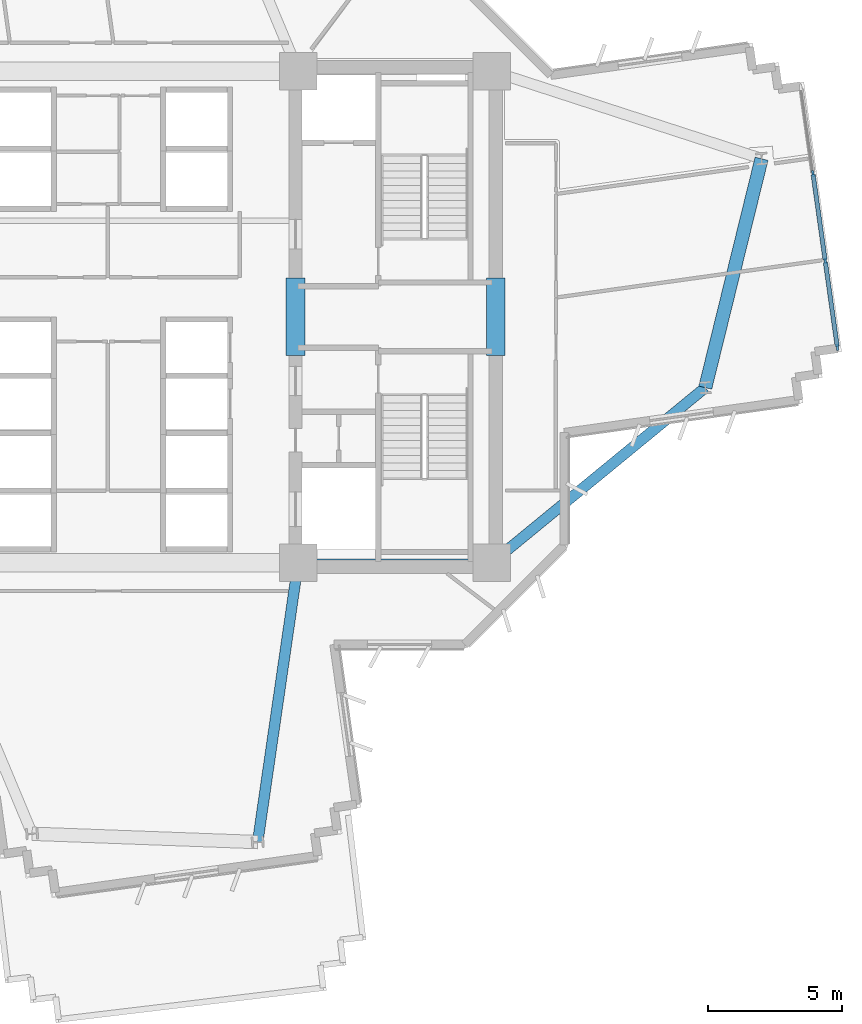
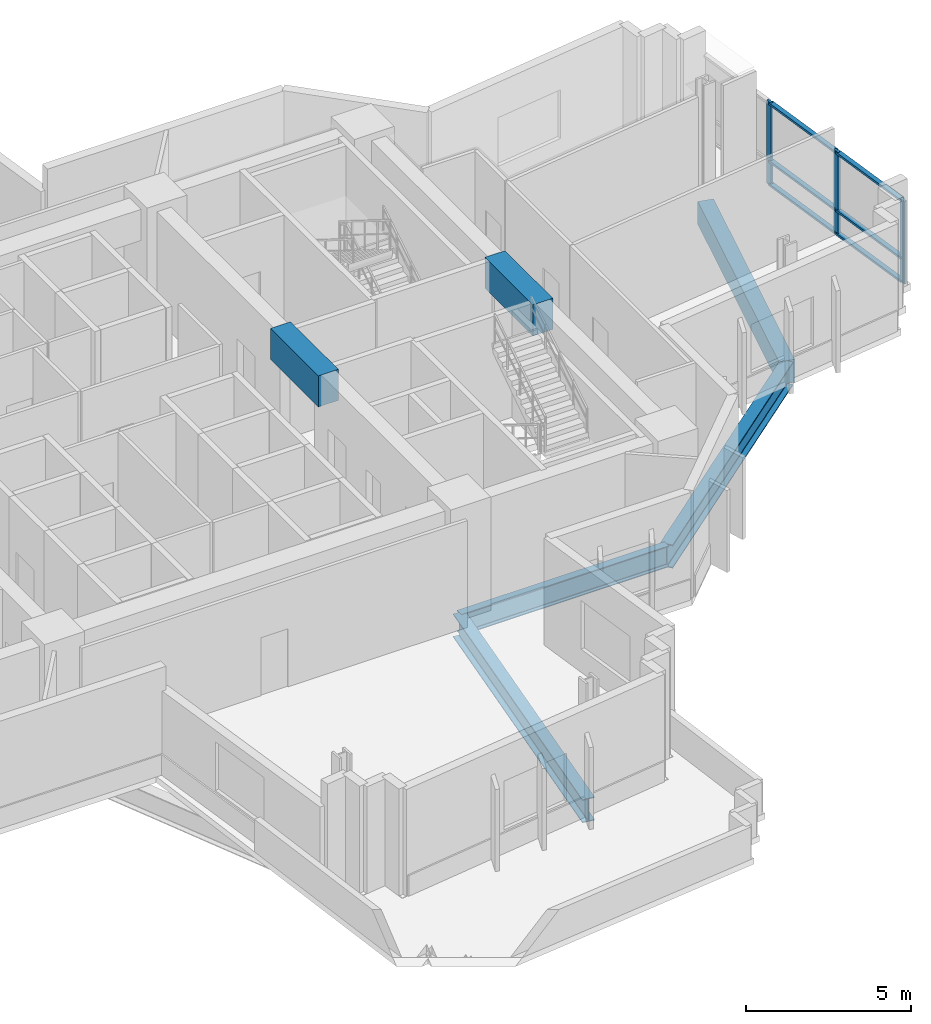
# One storey, part 3 of 13: 9 members, 6 beams, 1 element without a shape of its own.
"""IFC4 building model written with IfcOpenShell, lengths in metres."""

from ifc_helpers import new_model, si_unit, direction, frame, origin, origin_2d, place, context, subcontext, project, spatial, rectangle, i_section, extrude, source, transform, mapped, material, layer, layer_set, material_profile, profile_set, type_object, element, aggregate, save


model = new_model("IFC4")

# Units and contexts
model_context = context("Model", 3, precision=1e-05, world=origin(), true_north=direction((0.0, 1.0)))
body_context = subcontext(model_context, "Body", "Model", "MODEL_VIEW")
ifc_project = project(units=[si_unit("LENGTHUNIT", "METRE"), si_unit("AREAUNIT", "SQUARE_METRE"), si_unit("VOLUMEUNIT", "CUBIC_METRE"), si_unit("PLANEANGLEUNIT", "RADIAN"), si_unit("MASSUNIT", "GRAM", prefix="KILO")], contexts=[model_context])

# Site, building, storey
site_placement = place(None, origin())
site = spatial("IfcSite", under=ifc_project, at=site_placement, CompositionType="ELEMENT")
building_placement = place(site_placement, origin())
building = spatial("IfcBuilding", under=site, at=building_placement, Name="Zahravan Cultural Tower", CompositionType="ELEMENT")
storey_placement = place(building_placement, frame((0.0, 0.0, 117.300048828125)))
storey = spatial("IfcBuildingStorey", under=building, at=storey_placement, Name="L26", CompositionType="ELEMENT", Elevation=117.300048828125)

# Beams
ifc_material_1 = material(Name="Concrete C50/60", Category="concrete")
ifc_material_profile_1 = material_profile(ifc_material_1, rectangle(XDim=0.699951171875, YDim=1.14990234375, at=origin_2d()), Name="RC700X1150")
ifc_profile_set_1 = profile_set([ifc_material_profile_1], Name="Concrete C50/60")
beam_type_1 = type_object("IfcBeamType", Name="BM-LN-RC700X1150", PredefinedType="LINTEL", material=ifc_profile_set_1)
shared_shape_1 = source(origin(), body_context, "Body", "SweptSolid", [
    extrude(rectangle(XDim=0.699951171875, YDim=1.14990234375, at=origin_2d()), origin(), (0.0, 0.0, 1.0), 2.89990234375),
])
for number, where, z_axis, x_axis, name in (
    (1, (43.0, 25.550048828125, 3.375), (0.0, 1.0, 0.0), (-1.0, 0.0, 0.0), "L26 Beam LN-L26-PEW"),
    (2, (50.5, 25.550048828125, 3.375), (0.0, 1.0, 0.0), (-1.0, 0.0, 0.0), "L26 Beam LN-L26-PEE"),
):
    element("IfcBeam", number, at=place(storey_placement, frame(where, z_axis=z_axis, x_axis=x_axis)), inside=storey, type_object=beam_type_1, Name=name, PredefinedType="LINTEL", context=body_context, shape_type="MappedRepresentation", body=[
        mapped(shared_shape_1, transform((0.0, 0.0, 0.0), x_axis=(1.0, 0.0, 0.0), y_axis=(0.0, 1.0, 0.0), z_axis=(0.0, 0.0, 1.0), scale=1.0)),
    ])
ifc_material_2 = material(Name="Steel ASTM A992 Grade 50", Category="steel")
ifc_material_profile_2 = material_profile(ifc_material_2, i_section(OverallWidth=0.26611328125, OverallDepth=0.780029296875, WebThickness=0.0166015625, FlangeThickness=0.030029296875, FilletRadius=0.01904296875, at=origin_2d()), Name="W30X148")
ifc_profile_set_2 = profile_set([ifc_material_profile_2], Name="Steel ASTM A992 Grade 50")
beam_type_2 = type_object("IfcBeamType", Name="BM-G-W30X148", PredefinedType="BEAM", material=ifc_profile_set_2)
shared_shape_2 = source(origin(), body_context, "Body", "SweptSolid", [
    extrude(i_section(OverallWidth=0.26611328125, OverallDepth=0.780029296875, WebThickness=0.0166015625, FlangeThickness=0.030029296875, FilletRadius=0.01904296875, at=origin_2d()), origin(), (0.0, 0.0, 1.0), 7.25),
])
beam_1_placement = place(storey_placement, frame((43.10009765625, 17.800048828125, -0.64013671875), z_axis=(1.0, 0.0, 0.0), x_axis=(0.0, 1.0, 0.0)))
element("IfcBeam", 3, at=beam_1_placement, inside=storey, type_object=beam_type_2, Name="L26 Beam BG-L26-04", PredefinedType="BEAM", context=body_context, shape_type="MappedRepresentation", body=[
    mapped(shared_shape_2, transform((0.0, 0.0, 0.0), x_axis=(1.0, 0.0, 0.0), y_axis=(0.0, 1.0, 0.0), z_axis=(0.0, 0.0, 1.0), scale=1.0)),
])
ifc_material_profile_3 = material_profile(ifc_material_1, rectangle(XDim=0.5, YDim=0.85009765625, at=origin_2d()), Name="RC500X850")
ifc_profile_set_3 = profile_set([ifc_material_profile_3], Name="Concrete C50/60")
beam_type_3 = type_object("IfcBeamType", Name="BM-SP-RC500X850", PredefinedType="SPANDREL", material=ifc_profile_set_3)
shared_shape_3 = source(origin(), body_context, "Body", "SweptSolid", [
    extrude(rectangle(XDim=0.5, YDim=0.85009765625, at=origin_2d()), origin(), (0.0, 0.0, 1.0), 8.8232421875),
])
beam_2_placement = place(storey_placement, frame((58.339111328125, 24.351806640625, -0.675048828125), z_axis=(0.238848860516, 0.971056755206, 0.0), x_axis=(-0.971056755206, 0.238848860516, 0.0)))
element("IfcBeam", 4, at=beam_2_placement, inside=storey, type_object=beam_type_3, Name="L26 Beam SP-L26-16", PredefinedType="SPANDREL", context=body_context, shape_type="MappedRepresentation", body=[
    mapped(shared_shape_3, transform((0.0, 0.0, 0.0), x_axis=(1.0, 0.0, 0.0), y_axis=(0.0, 1.0, 0.0), z_axis=(0.0, 0.0, 1.0), scale=1.0)),
])
ifc_material_profile_4 = material_profile(ifc_material_2, i_section(OverallWidth=0.39990234375, OverallDepth=0.862060546875, WebThickness=0.019775390625, FlangeThickness=0.032470703125, FilletRadius=0.02001953125, at=origin_2d()), Name="W33X221")
ifc_profile_set_4 = profile_set([ifc_material_profile_4], Name="Steel ASTM A992 Grade 50")
beam_type_4 = type_object("IfcBeamType", Name="BM-G-W33X221", PredefinedType="BEAM", material=ifc_profile_set_4)
shared_shape_4 = source(origin(), body_context, "Body", "SweptSolid", [
    extrude(i_section(OverallWidth=0.39990234375, OverallDepth=0.862060546875, WebThickness=0.019775390625, FlangeThickness=0.032470703125, FilletRadius=0.02001953125, at=origin_2d()), origin(), (0.0, 0.0, 1.0), 10.5673828125),
])
beam_3_placement = place(storey_placement, frame((43.10009765625, 17.800048828125, -0.68115234375), z_axis=(-0.143377913539, -0.989668011966, 0.0), x_axis=(0.989668011966, -0.143377913539, 0.0)))
element("IfcBeam", 5, at=beam_3_placement, inside=storey, type_object=beam_type_4, Name="L26 Beam BG-L26-09", PredefinedType="BEAM", context=body_context, shape_type="MappedRepresentation", body=[
    mapped(shared_shape_4, transform((0.0, 0.0, 0.0), x_axis=(1.0, 0.0, 0.0), y_axis=(0.0, 1.0, 0.0), z_axis=(0.0, 0.0, 1.0), scale=1.0)),
])
shared_shape_5 = source(origin(), body_context, "Body", "SweptSolid", [
    extrude(i_section(OverallWidth=0.39990234375, OverallDepth=0.862060546875, WebThickness=0.019775390625, FlangeThickness=0.032470703125, FilletRadius=0.02001953125, at=origin_2d()), origin(), (0.0, 0.0, 1.0), 10.33203125),
])
beam_4_placement = place(storey_placement, frame((50.35009765625, 17.800048828125, -0.68115234375), z_axis=(0.773231409473, 0.634123952713, 0.0), x_axis=(-0.634123952713, 0.773231409473, 0.0)))
element("IfcBeam", 6, at=beam_4_placement, inside=storey, type_object=beam_type_4, Name="L26 Beam BG-L26-10", PredefinedType="BEAM", context=body_context, shape_type="MappedRepresentation", body=[
    mapped(shared_shape_5, transform((0.0, 0.0, 0.0), x_axis=(1.0, 0.0, 0.0), y_axis=(0.0, 1.0, 0.0), z_axis=(0.0, 0.0, 1.0), scale=1.0)),
])

# Curtain wall, members
ifc_material_3 = material(Name="Anodised bronze-aluminium mullion", Category="aluminium")
ifc_layer = layer(ifc_material_3, 0.219970703125)
ifc_layer_set = layer_set([ifc_layer], Name="Anodised bronze-aluminium mullion")
curtain_wall_type = type_object("IfcCurtainWallType", Name="CW-SYS-1", PredefinedType="USERDEFINED", material=ifc_layer_set)
curtain_wall_placement = place(storey_placement, origin())
curtain_wall = element("IfcCurtainWall", 7, at=curtain_wall_placement, inside=storey, type_object=curtain_wall_type, Name="L26 Recessed Curtain Wall CW-1.1", ObjectType="RECESSED GLAZING", PredefinedType="USERDEFINED")
ifc_material_profile_5 = material_profile(ifc_material_3, rectangle(XDim=0.080078125, YDim=0.219970703125, at=origin_2d()), Name="AL-M80X220")
ifc_profile_set_5 = profile_set([ifc_material_profile_5], Name="Anodised bronze-aluminium mullion")
member_type_1 = type_object("IfcMemberType", Name="CWM-CW-1", PredefinedType="MULLION", material=ifc_profile_set_5)
shared_shape_6 = source(origin(), body_context, "Body", "SweptSolid", [
    extrude(rectangle(XDim=0.080078125, YDim=0.219970703125, at=origin_2d()), origin(), (0.0, 0.0, 1.0), 3.070068359375),
])
member_1_placement = place(storey_placement, frame((62.370361328125, 32.3662109375, 0.0), z_axis=(0.0, 0.0, 1.0), x_axis=(0.99031626157, 0.138829759313, 0.0)))
member_1 = element("IfcMember", 8, at=member_1_placement, type_object=member_type_1, Name="CW-1 mullion 2", PredefinedType="MULLION", context=body_context, shape_type="MappedRepresentation", body=[
    mapped(shared_shape_6, transform((0.0, 0.0, 0.0), x_axis=(1.0, 0.0, 0.0), y_axis=(0.0, 1.0, 0.0), z_axis=(0.0, 0.0, 1.0), scale=1.0)),
])
member_2_placement = place(storey_placement, frame((62.829345703125, 29.091552734375, 0.0), z_axis=(0.0, 0.0, 1.0), x_axis=(0.99031626157, 0.138829759313, 0.0)))
member_2 = element("IfcMember", 9, at=member_2_placement, type_object=member_type_1, Name="CW-1 mullion 3", PredefinedType="MULLION", context=body_context, shape_type="MappedRepresentation", body=[
    mapped(shared_shape_6, transform((0.0, 0.0, 0.0), x_axis=(1.0, 0.0, 0.0), y_axis=(0.0, 1.0, 0.0), z_axis=(0.0, 0.0, 1.0), scale=1.0)),
])
member_3_placement = place(storey_placement, frame((63.282958984375, 25.8564453125, 0.0), z_axis=(0.0, 0.0, 1.0), x_axis=(0.99031626157, 0.138829759313, 0.0)))
member_3 = element("IfcMember", 10, at=member_3_placement, type_object=member_type_1, Name="CW-1 mullion 4", PredefinedType="MULLION", context=body_context, shape_type="MappedRepresentation", body=[
    mapped(shared_shape_6, transform((0.0, 0.0, 0.0), x_axis=(1.0, 0.0, 0.0), y_axis=(0.0, 1.0, 0.0), z_axis=(0.0, 0.0, 1.0), scale=1.0)),
])
ifc_material_profile_6 = material_profile(ifc_material_3, rectangle(XDim=0.159912109375, YDim=0.080078125, at=origin_2d()), Name="AL-T80X160")
ifc_profile_set_6 = profile_set([ifc_material_profile_6], Name="Anodised bronze-aluminium mullion")
member_type_2 = type_object("IfcMemberType", Name="CWT-CW-1", PredefinedType="USERDEFINED", material=ifc_profile_set_6)
shared_shape_7 = source(origin(), body_context, "Body", "SweptSolid", [
    extrude(rectangle(XDim=0.159912109375, YDim=0.080078125, at=origin_2d()), origin(), (0.0, 0.0, 1.0), 3.226806640625),
])
member_4_placement = place(storey_placement, frame((62.3759765625, 32.32666015625, 0.0400390625), z_axis=(0.138836324478, -0.990315341195, 0.0), x_axis=(0.990315341195, 0.138836324478, 0.0)))
member_4 = element("IfcMember", 11, at=member_4_placement, type_object=member_type_2, Name="CW-1 transom 2.1", ObjectType="TRANSOM", PredefinedType="USERDEFINED", context=body_context, shape_type="MappedRepresentation", body=[
    mapped(shared_shape_7, transform((0.0, 0.0, 0.0), x_axis=(1.0, 0.0, 0.0), y_axis=(0.0, 1.0, 0.0), z_axis=(0.0, 0.0, 1.0), scale=1.0)),
])
member_5_placement = place(storey_placement, frame((62.3759765625, 32.32666015625, 0.89990234375), z_axis=(0.138836324478, -0.990315341195, 0.0), x_axis=(0.990315341195, 0.138836324478, 0.0)))
member_5 = element("IfcMember", 12, at=member_5_placement, type_object=member_type_2, Name="CW-1 transom 2.2", ObjectType="TRANSOM", PredefinedType="USERDEFINED", context=body_context, shape_type="MappedRepresentation", body=[
    mapped(shared_shape_7, transform((0.0, 0.0, 0.0), x_axis=(1.0, 0.0, 0.0), y_axis=(0.0, 1.0, 0.0), z_axis=(0.0, 0.0, 1.0), scale=1.0)),
])
member_6_placement = place(storey_placement, frame((62.3759765625, 32.32666015625, 3.030029296875), z_axis=(0.138836324478, -0.990315341195, 0.0), x_axis=(0.990315341195, 0.138836324478, 0.0)))
member_6 = element("IfcMember", 13, at=member_6_placement, type_object=member_type_2, Name="CW-1 transom 2.3", ObjectType="TRANSOM", PredefinedType="USERDEFINED", context=body_context, shape_type="MappedRepresentation", body=[
    mapped(shared_shape_7, transform((0.0, 0.0, 0.0), x_axis=(1.0, 0.0, 0.0), y_axis=(0.0, 1.0, 0.0), z_axis=(0.0, 0.0, 1.0), scale=1.0)),
])
shared_shape_8 = source(origin(), body_context, "Body", "SweptSolid", [
    extrude(rectangle(XDim=0.159912109375, YDim=0.080078125, at=origin_2d()), origin(), (0.0, 0.0, 1.0), 3.1865234375),
])
member_7_placement = place(storey_placement, frame((62.8349609375, 29.052001953125, 0.0400390625), z_axis=(0.138825176396, -0.990316904025, 0.0), x_axis=(0.990316904025, 0.138825176396, 0.0)))
member_7 = element("IfcMember", 14, at=member_7_placement, type_object=member_type_2, Name="CW-1 transom 3.1", ObjectType="TRANSOM", PredefinedType="USERDEFINED", context=body_context, shape_type="MappedRepresentation", body=[
    mapped(shared_shape_8, transform((0.0, 0.0, 0.0), x_axis=(1.0, 0.0, 0.0), y_axis=(0.0, 1.0, 0.0), z_axis=(0.0, 0.0, 1.0), scale=1.0)),
])
member_8_placement = place(storey_placement, frame((62.8349609375, 29.052001953125, 0.89990234375), z_axis=(0.138825176396, -0.990316904025, 0.0), x_axis=(0.990316904025, 0.138825176396, 0.0)))
member_8 = element("IfcMember", 15, at=member_8_placement, type_object=member_type_2, Name="CW-1 transom 3.2", ObjectType="TRANSOM", PredefinedType="USERDEFINED", context=body_context, shape_type="MappedRepresentation", body=[
    mapped(shared_shape_8, transform((0.0, 0.0, 0.0), x_axis=(1.0, 0.0, 0.0), y_axis=(0.0, 1.0, 0.0), z_axis=(0.0, 0.0, 1.0), scale=1.0)),
])
member_9_placement = place(storey_placement, frame((62.8349609375, 29.052001953125, 3.030029296875), z_axis=(0.138825176396, -0.990316904025, 0.0), x_axis=(0.990316904025, 0.138825176396, 0.0)))
member_9 = element("IfcMember", 16, at=member_9_placement, type_object=member_type_2, Name="CW-1 transom 3.3", ObjectType="TRANSOM", PredefinedType="USERDEFINED", context=body_context, shape_type="MappedRepresentation", body=[
    mapped(shared_shape_8, transform((0.0, 0.0, 0.0), x_axis=(1.0, 0.0, 0.0), y_axis=(0.0, 1.0, 0.0), z_axis=(0.0, 0.0, 1.0), scale=1.0)),
])
aggregate(curtain_wall, [member_1, member_2, member_3, member_4, member_5, member_6, member_7, member_8, member_9])

save(model, "model.ifc")
